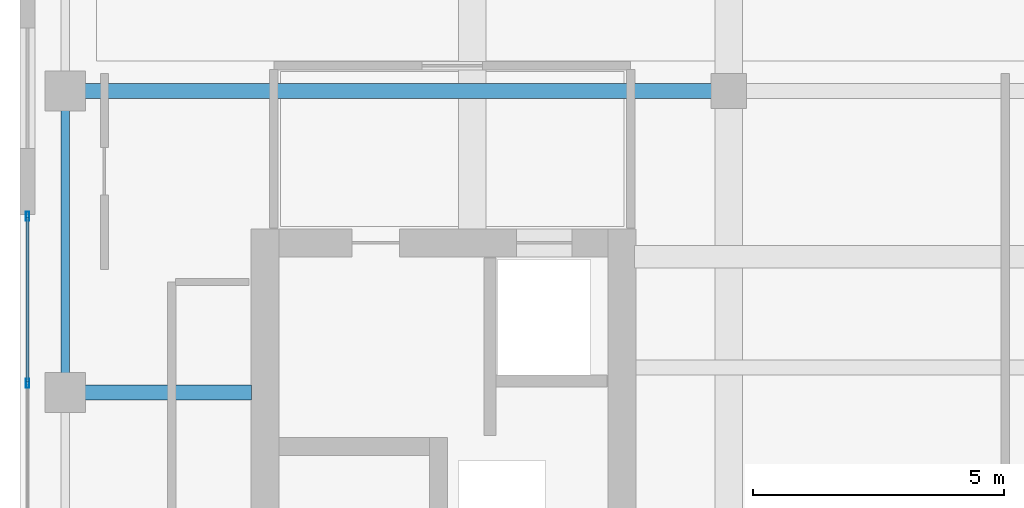
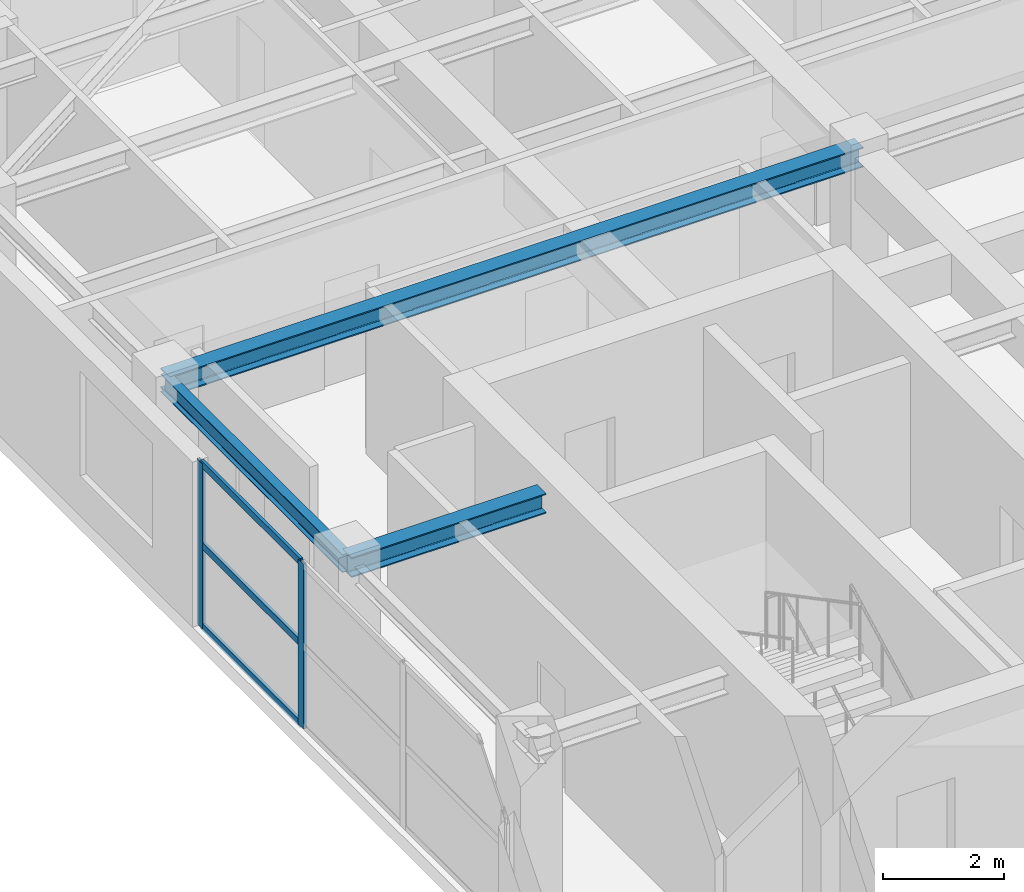
# One storey, part 4 of 14: 5 members, 3 beams, 1 element without a shape of its own.
"""IFC4 building model written with IfcOpenShell, lengths in metres."""

from ifc_helpers import new_model, si_unit, direction, frame, origin, origin_2d, place, context, subcontext, project, spatial, hollow_rectangle, i_section, extrude, source, transform, mapped, material, layer, layer_set, material_profile, profile_set, type_object, element, aggregate, save


model = new_model("IFC4")

# Units and contexts
model_context = context("Model", 3, precision=1e-05, world=origin(), true_north=direction((0.0, 1.0)))
body_context = subcontext(model_context, "Body", "Model", "MODEL_VIEW")
ifc_project = project(units=[si_unit("LENGTHUNIT", "METRE"), si_unit("AREAUNIT", "SQUARE_METRE"), si_unit("VOLUMEUNIT", "CUBIC_METRE"), si_unit("PLANEANGLEUNIT", "RADIAN"), si_unit("MASSUNIT", "GRAM", prefix="KILO")], contexts=[model_context])

# Site, building, storey
site_placement = place(None, origin())
site = spatial("IfcSite", under=ifc_project, at=site_placement, CompositionType="ELEMENT")
building_placement = place(site_placement, origin())
building = spatial("IfcBuilding", under=site, at=building_placement, Name="Khoralis Quay Care Tower", CompositionType="ELEMENT")
storey_placement = place(building_placement, frame((0.0, 0.0, 274.5)))
storey = spatial("IfcBuildingStorey", under=building, at=storey_placement, Name="L72", CompositionType="ELEMENT", Elevation=274.5)

# Beams
ifc_material_1 = material(Name="Steel S355", Category="steel")
ifc_material_profile_1 = material_profile(ifc_material_1, i_section(OverallWidth=0.169921875, OverallDepth=0.360107421875, WebThickness=0.008056640625, FlangeThickness=0.0126953125, FilletRadius=0.01806640625, at=origin_2d()), Name="Steel S355")
ifc_profile_set_1 = profile_set([ifc_material_profile_1], Name="Steel S355")
beam_type_1 = type_object("IfcBeamType", Name="BM-IPE360", PredefinedType="SPANDREL", material=ifc_profile_set_1)
shared_shape_1 = source(origin(), body_context, "Body", "SweptSolid", [
    extrude(i_section(OverallWidth=0.169921875, OverallDepth=0.360107421875, WebThickness=0.008056640625, FlangeThickness=0.0126953125, FilletRadius=0.01806640625, at=origin_2d()), origin(), (0.0, 0.0, 1.0), 6.0),
])
beam_1_placement = place(storey_placement, frame((3.89990234375, 24.0, 3.139892578125), z_axis=(0.0, 1.0, 0.0), x_axis=(-1.0, 0.0, 0.0)))
element("IfcBeam", 1, at=beam_1_placement, inside=storey, type_object=beam_type_1, Name="BM-TSP-L72-11", PredefinedType="SPANDREL", context=body_context, shape_type="MappedRepresentation", body=[
    mapped(shared_shape_1, transform((0.0, 0.0, 0.0), scale=1.0)),
])
ifc_material_profile_2 = material_profile(ifc_material_1, i_section(OverallWidth=0.300048828125, OverallDepth=0.39990234375, WebThickness=0.013427734375, FlangeThickness=0.02392578125, FilletRadius=0.027099609375, at=origin_2d()), Name="Steel S355")
ifc_profile_set_2 = profile_set([ifc_material_profile_2], Name="Steel S355")
beam_type_2 = type_object("IfcBeamType", Name="BM-HEB400", PredefinedType="BEAM", material=ifc_profile_set_2)
shared_shape_2 = source(origin(), body_context, "Body", "SweptSolid", [
    extrude(i_section(OverallWidth=0.300048828125, OverallDepth=0.39990234375, WebThickness=0.013427734375, FlangeThickness=0.02392578125, FilletRadius=0.027099609375, at=origin_2d()), origin(), (0.0, 0.0, 1.0), 13.2001953125),
])
beam_2_placement = place(storey_placement, frame((3.89990234375, 30.0, 3.1201171875), z_axis=(1.0, 0.0, 0.0), x_axis=(0.0, 1.0, 0.0)))
element("IfcBeam", 2, at=beam_2_placement, inside=storey, type_object=beam_type_2, Name="BM-TGXW-L72-300", PredefinedType="BEAM", context=body_context, shape_type="MappedRepresentation", body=[
    mapped(shared_shape_2, transform((0.0, 0.0, 0.0), scale=1.0)),
])
shared_shape_3 = source(origin(), body_context, "Body", "SweptSolid", [
    extrude(i_section(OverallWidth=0.300048828125, OverallDepth=0.39990234375, WebThickness=0.013427734375, FlangeThickness=0.02392578125, FilletRadius=0.027099609375, at=origin_2d()), origin(), (0.0, 0.0, 1.0), 3.7021484375),
])
beam_3_placement = place(storey_placement, frame((3.89990234375, 24.0, 3.1201171875), z_axis=(1.0, 0.0, 0.0), x_axis=(0.0, 1.0, 0.0)))
element("IfcBeam", 3, at=beam_3_placement, inside=storey, type_object=beam_type_2, Name="BM-TGXW-L72-240", PredefinedType="BEAM", context=body_context, shape_type="MappedRepresentation", body=[
    mapped(shared_shape_3, transform((0.0, 0.0, 0.0), scale=1.0)),
])

# Curtain wall, members
ifc_material_2 = material(Name="Pale anodised aluminium", Category="aluminium")
ifc_layer = layer(ifc_material_2, 0.159912109375)
ifc_layer_set = layer_set([ifc_layer], Name="Pale anodised aluminium")
curtain_wall_type = type_object("IfcCurtainWallType", Name="CW-SYS-Z3", PredefinedType="NOTDEFINED", material=ifc_layer_set)
curtain_wall_placement = place(storey_placement, origin())
curtain_wall = element("IfcCurtainWall", 4, at=curtain_wall_placement, inside=storey, type_object=curtain_wall_type, Name="L72 Unitised Curtain Wall CW-L72-P1-E15", PredefinedType="NOTDEFINED")
ifc_material_profile_3 = material_profile(ifc_material_2, hollow_rectangle(XDim=0.06494140625, YDim=0.179931640625, WallThickness=0.00390625, at=origin_2d()), Name="Pale anodised aluminium")
ifc_profile_set_3 = profile_set([ifc_material_profile_3], Name="Pale anodised aluminium")
member_type_1 = type_object("IfcMemberType", Name="CW-MUL-180", PredefinedType="MULLION", material=ifc_profile_set_3)
shared_shape_4 = source(origin(), body_context, "Body", "SweptSolid", [
    extrude(hollow_rectangle(XDim=0.06494140625, YDim=0.179931640625, WallThickness=0.00390625, at=origin_2d()), origin(), (0.0, 0.0, 1.0), 3.320068359375),
])
member_1_placement = place(storey_placement, frame((3.14990234375, 27.510009765625, 0.0), z_axis=(0.0, 0.0, 1.0), x_axis=(1.0, 0.0, 0.0)))
member_1 = element("IfcMember", 5, at=member_1_placement, type_object=member_type_1, Name="CW3 mullion 1", PredefinedType="MULLION", context=body_context, shape_type="MappedRepresentation", body=[
    mapped(shared_shape_4, transform((0.0, 0.0, 0.0), scale=1.0)),
])
member_2_placement = place(storey_placement, frame((3.14990234375, 24.179931640625, 0.0), z_axis=(0.0, 0.0, 1.0), x_axis=(1.0, 0.0, 0.0)))
member_2 = element("IfcMember", 6, at=member_2_placement, type_object=member_type_1, Name="CW3 mullion 2", PredefinedType="MULLION", context=body_context, shape_type="MappedRepresentation", body=[
    mapped(shared_shape_4, transform((0.0, 0.0, 0.0), scale=1.0)),
])
ifc_material_profile_4 = material_profile(ifc_material_2, hollow_rectangle(XDim=0.06005859375, YDim=0.139892578125, WallThickness=0.00390625, at=origin_2d()), Name="Pale anodised aluminium")
ifc_profile_set_4 = profile_set([ifc_material_profile_4], Name="Pale anodised aluminium")
member_type_2 = type_object("IfcMemberType", Name="CW-TRN-140", PredefinedType="USERDEFINED", material=ifc_profile_set_4)
shared_shape_5 = source(origin(), body_context, "Body", "SweptSolid", [
    extrude(hollow_rectangle(XDim=0.06005859375, YDim=0.139892578125, WallThickness=0.00390625, at=origin_2d()), origin(), (0.0, 0.0, 1.0), 3.27001953125),
])
member_3_placement = place(storey_placement, frame((3.14990234375, 27.47998046875, 0.030029296875), z_axis=(0.0, -1.0, 0.0), x_axis=(1.0, 0.0, 0.0)))
member_3 = element("IfcMember", 7, at=member_3_placement, type_object=member_type_2, Name="CW3 transom 1.1", ObjectType="TRANSOM", PredefinedType="USERDEFINED", context=body_context, shape_type="MappedRepresentation", body=[
    mapped(shared_shape_5, transform((0.0, 0.0, 0.0), scale=1.0)),
])
member_4_placement = place(storey_placement, frame((3.14990234375, 27.47998046875, 1.659912109375), z_axis=(0.0, -1.0, 0.0), x_axis=(1.0, 0.0, 0.0)))
member_4 = element("IfcMember", 8, at=member_4_placement, type_object=member_type_2, Name="CW3 transom 1.2", ObjectType="TRANSOM", PredefinedType="USERDEFINED", context=body_context, shape_type="MappedRepresentation", body=[
    mapped(shared_shape_5, transform((0.0, 0.0, 0.0), scale=1.0)),
])
member_5_placement = place(storey_placement, frame((3.14990234375, 27.47998046875, 3.2900390625), z_axis=(0.0, -1.0, 0.0), x_axis=(1.0, 0.0, 0.0)))
member_5 = element("IfcMember", 9, at=member_5_placement, type_object=member_type_2, Name="CW3 transom 1.3", ObjectType="TRANSOM", PredefinedType="USERDEFINED", context=body_context, shape_type="MappedRepresentation", body=[
    mapped(shared_shape_5, transform((0.0, 0.0, 0.0), scale=1.0)),
])
aggregate(curtain_wall, [member_1, member_2, member_3, member_4, member_5])

save(model, "model.ifc")
